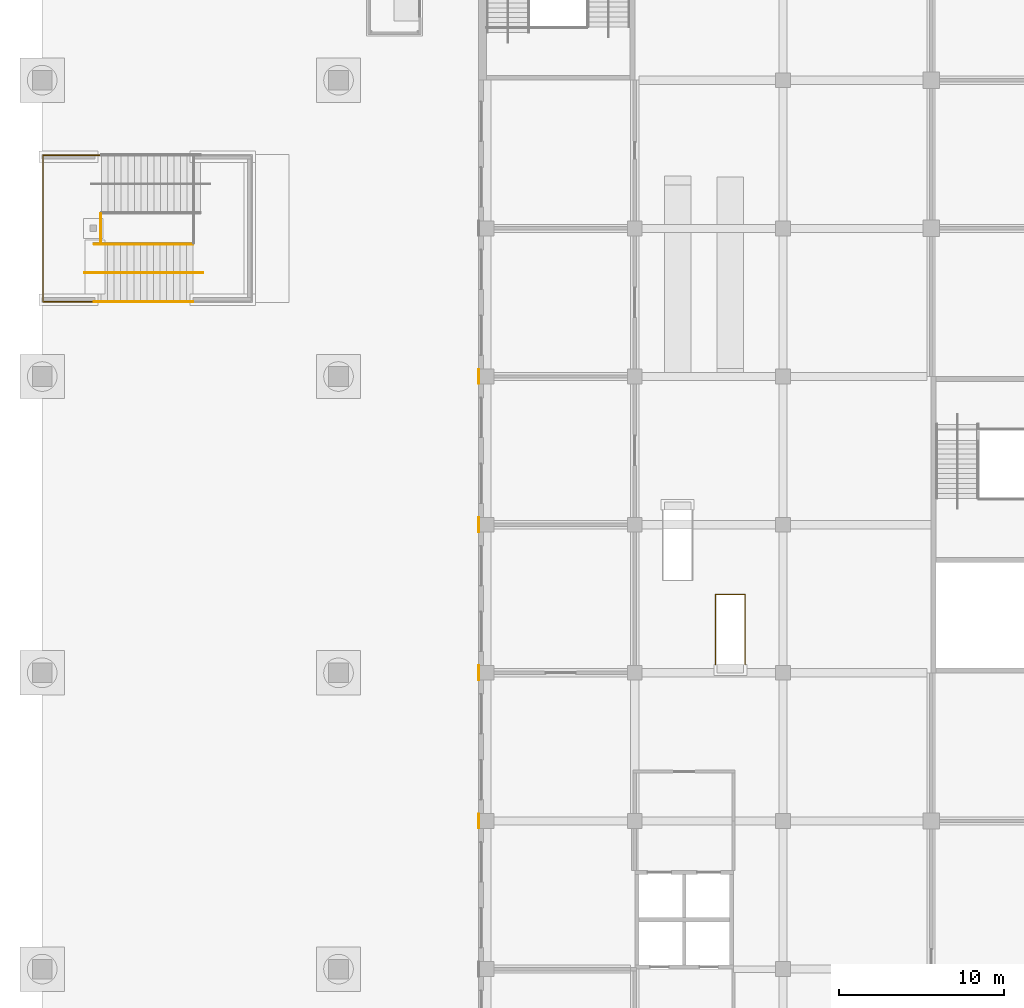
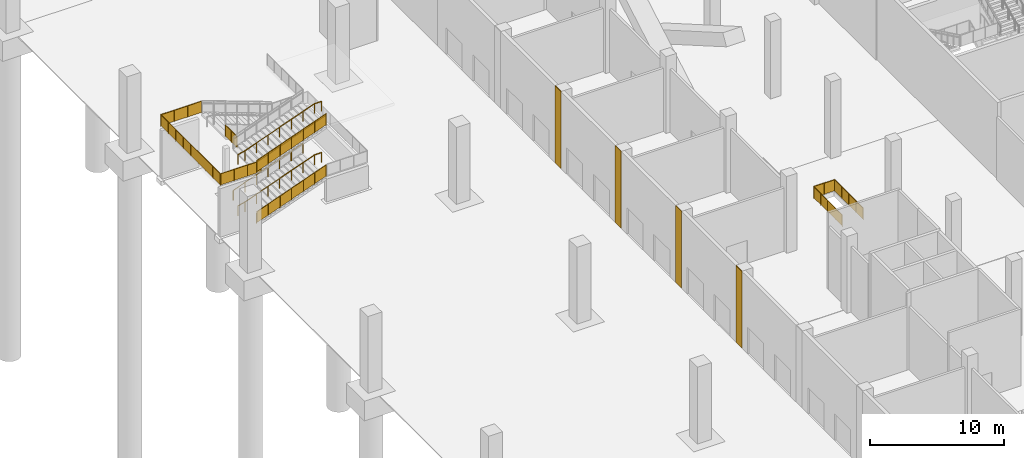
# One storey, part 63 of 92: 10 railings, 4 coverings.
"""IFC4 building model written with IfcOpenShell, lengths in metres."""

from ifc_helpers import new_model, si_unit, direction, frame, origin, origin_2d, place, context, subcontext, project, spatial, polyline, circle, outline, extrude, material, layer, layer_set, type_object, element, save


model = new_model("IFC4")

# Units and contexts
model_context = context("Model", 3, precision=1e-05, world=origin(), true_north=direction((0.0, 1.0)))
body_context = subcontext(model_context, "Body", "Model", "MODEL_VIEW")
ifc_project = project(units=[si_unit("LENGTHUNIT", "METRE"), si_unit("AREAUNIT", "SQUARE_METRE"), si_unit("VOLUMEUNIT", "CUBIC_METRE"), si_unit("PLANEANGLEUNIT", "RADIAN"), si_unit("MASSUNIT", "GRAM", prefix="KILO")], contexts=[model_context])

# Site, building, storey
site_placement = place(None, origin())
site = spatial("IfcSite", under=ifc_project, at=site_placement, CompositionType="ELEMENT")
building_placement = place(site_placement, origin())
building = spatial("IfcBuilding", under=site, at=building_placement, Name="Silverbay Arena", CompositionType="ELEMENT")
storey_placement = place(building_placement, origin())
storey = spatial("IfcBuildingStorey", under=building, at=storey_placement, Name="L00", CompositionType="ELEMENT", Elevation=0.0)

# Coverings
ifc_material_1 = material(Name="Aluminium composite cladding", Category="aluminium")
ifc_layer = layer(ifc_material_1, 0.050048828125)
ifc_layer_set = layer_set([ifc_layer], Name="Aluminium composite cladding")
covering_type = type_object("IfcCoveringType", Name="Column cladding 50", PredefinedType="CLADDING", material=ifc_layer_set)
covering_1_placement = place(storey_placement, origin())
element("IfcCovering", 1, at=covering_1_placement, inside=storey, type_object=covering_type, Name="West column cladding L00 33", PredefinedType="CLADDING", context=body_context, shape_type="SweptSolid", body=[
    extrude(outline(polyline([(26.5, 80.550048828125), (26.550048828125, 80.550048828125), (26.550048828125, 81.449951171875), (26.5, 81.449951171875), (26.5, 80.550048828125)])), origin(), (0.0, 0.0, 1.0), 7.0),
])
covering_2_placement = place(storey_placement, origin())
element("IfcCovering", 2, at=covering_2_placement, inside=storey, type_object=covering_type, Name="West column cladding L00 34", PredefinedType="CLADDING", context=body_context, shape_type="SweptSolid", body=[
    extrude(outline(polyline([(26.5, 89.550048828125), (26.550048828125, 89.550048828125), (26.550048828125, 90.449951171875), (26.5, 90.449951171875), (26.5, 89.550048828125)])), origin(), (0.0, 0.0, 1.0), 7.0),
])
covering_3_placement = place(storey_placement, origin())
element("IfcCovering", 3, at=covering_3_placement, inside=storey, type_object=covering_type, Name="West column cladding L00 35", PredefinedType="CLADDING", context=body_context, shape_type="SweptSolid", body=[
    extrude(outline(polyline([(26.5, 98.550048828125), (26.550048828125, 98.550048828125), (26.550048828125, 99.449951171875), (26.5, 99.449951171875), (26.5, 98.550048828125)])), origin(), (0.0, 0.0, 1.0), 7.0),
])
covering_4_placement = place(storey_placement, origin())
element("IfcCovering", 4, at=covering_4_placement, inside=storey, type_object=covering_type, Name="West column cladding L00 36", PredefinedType="CLADDING", context=body_context, shape_type="SweptSolid", body=[
    extrude(outline(polyline([(26.5, 107.550048828125), (26.550048828125, 107.550048828125), (26.550048828125, 108.449951171875), (26.5, 108.449951171875), (26.5, 107.550048828125)])), origin(), (0.0, 0.0, 1.0), 7.0),
])

# Railings
ifc_material_2 = material(Name="Stainless steel", Category="steel")
railing_type_1 = type_object("IfcRailingType", Name="Opening guard 1100", PredefinedType="GUARDRAIL", material=ifc_material_2)
railing_1_placement = place(storey_placement, frame((40.89990234375, 90.5, 0.0)))
element("IfcRailing", 5, at=railing_1_placement, inside=storey, type_object=railing_type_1, Name="Escalator opening guard LF29", PredefinedType="GUARDRAIL", context=body_context, shape_type="SweptSolid", body=[
    extrude(circle(Radius=0.02392578125, at=origin_2d()), frame((0.0, 0.0, 1.076171875), z_axis=(0.0, 1.0, 0.0), x_axis=(-1.0, 0.0, 0.0)), (0.0, 0.0, 1.0), 4.26318359375),
    extrude(outline(polyline([(-0.008056640625, 0.050048828125), (1.07373046875, 0.050048828125), (1.07373046875, 1.052978515625), (-0.008056640625, 1.052978515625), (-0.008056640625, 0.050048828125)])), frame((-0.0029296875, 0.0, 0.0), z_axis=(1.0, 0.0, 0.0), x_axis=(0.0, 1.0, 0.0)), (0.0, 0.0, 1.0), 0.006103515625),
    extrude(outline(polyline([(-0.008056640625, 0.050048828125), (1.07373046875, 0.050048828125), (1.07373046875, 1.052978515625), (-0.008056640625, 1.052978515625), (-0.008056640625, 0.050048828125)])), frame((-0.0029296875, 1.06591796875, 0.0), z_axis=(1.0, 0.0, 0.0), x_axis=(0.0, 1.0, 0.0)), (0.0, 0.0, 1.0), 0.006103515625),
    extrude(outline(polyline([(-0.008056640625, 0.050048828125), (1.07373046875, 0.050048828125), (1.07373046875, 1.052978515625), (-0.008056640625, 1.052978515625), (-0.008056640625, 0.050048828125)])), frame((-0.0029296875, 2.131591796875, 0.0), z_axis=(1.0, 0.0, 0.0), x_axis=(0.0, 1.0, 0.0)), (0.0, 0.0, 1.0), 0.006103515625),
    extrude(outline(polyline([(-0.008056640625, 0.050048828125), (1.07373046875, 0.050048828125), (1.07373046875, 1.052978515625), (-0.008056640625, 1.052978515625), (-0.008056640625, 0.050048828125)])), frame((-0.0029296875, 3.197265625, 0.0), z_axis=(1.0, 0.0, 0.0), x_axis=(0.0, 1.0, 0.0)), (0.0, 0.0, 1.0), 0.006103515625),
    extrude(circle(Radius=0.02392578125, at=origin_2d()), frame((0.0, 4.26318359375, 1.076171875), z_axis=(1.0, 0.0, 0.0), x_axis=(0.0, 1.0, 0.0)), (0.0, 0.0, 1.0), 1.800048828125),
    extrude(outline(polyline([(-0.008056640625, 0.050048828125), (0.907958984375, 0.050048828125), (0.907958984375, 1.052978515625), (-0.008056640625, 1.052978515625), (-0.008056640625, 0.050048828125)])), frame((0.0, 4.26611328125, 0.0), z_axis=(0.0, -1.0, 0.0), x_axis=(1.0, 0.0, 0.0)), (0.0, 0.0, 1.0), 0.006103515625),
    extrude(outline(polyline([(-0.008056640625, 0.050048828125), (0.907958984375, 0.050048828125), (0.907958984375, 1.052978515625), (-0.008056640625, 1.052978515625), (-0.008056640625, 0.050048828125)])), frame((0.89990234375, 4.26611328125, 0.0), z_axis=(0.0, -1.0, 0.0), x_axis=(1.0, 0.0, 0.0)), (0.0, 0.0, 1.0), 0.006103515625),
    extrude(circle(Radius=0.02392578125, at=origin_2d()), frame((1.800048828125, 4.26318359375, 1.076171875), z_axis=(0.0, -1.0, 0.0), x_axis=(1.0, 0.0, 0.0)), (0.0, 0.0, 1.0), 4.26318359375),
    extrude(outline(polyline([(-0.008056640625, 0.050048828125), (1.07373046875, 0.050048828125), (1.07373046875, 1.052978515625), (-0.008056640625, 1.052978515625), (-0.008056640625, 0.050048828125)])), frame((1.802978515625, 4.26318359375, 0.0), z_axis=(-1.0, 0.0, 0.0), x_axis=(0.0, -1.0, 0.0)), (0.0, 0.0, 1.0), 0.006103515625),
    extrude(outline(polyline([(-0.008056640625, 0.050048828125), (1.07373046875, 0.050048828125), (1.07373046875, 1.052978515625), (-0.008056640625, 1.052978515625), (-0.008056640625, 0.050048828125)])), frame((1.802978515625, 3.197265625, 0.0), z_axis=(-1.0, 0.0, 0.0), x_axis=(0.0, -1.0, 0.0)), (0.0, 0.0, 1.0), 0.006103515625),
    extrude(outline(polyline([(-0.008056640625, 0.050048828125), (1.07373046875, 0.050048828125), (1.07373046875, 1.052978515625), (-0.008056640625, 1.052978515625), (-0.008056640625, 0.050048828125)])), frame((1.802978515625, 2.131591796875, 0.0), z_axis=(-1.0, 0.0, 0.0), x_axis=(0.0, -1.0, 0.0)), (0.0, 0.0, 1.0), 0.006103515625),
    extrude(outline(polyline([(-0.008056640625, 0.050048828125), (1.07373046875, 0.050048828125), (1.07373046875, 1.052978515625), (-0.008056640625, 1.052978515625), (-0.008056640625, 0.050048828125)])), frame((1.802978515625, 1.06591796875, 0.0), z_axis=(-1.0, 0.0, 0.0), x_axis=(0.0, -1.0, 0.0)), (0.0, 0.0, 1.0), 0.006103515625),
    extrude(circle(Radius=0.02099609375, at=origin_2d()), origin(), (0.0, 0.0, 1.0), 1.052001953125),
    extrude(circle(Radius=0.02099609375, at=origin_2d()), frame((0.0, 1.06591796875, 0.0)), (0.0, 0.0, 1.0), 1.052001953125),
    extrude(circle(Radius=0.02099609375, at=origin_2d()), frame((0.0, 2.131591796875, 0.0)), (0.0, 0.0, 1.0), 1.052001953125),
    extrude(circle(Radius=0.02099609375, at=origin_2d()), frame((0.0, 3.197265625, 0.0)), (0.0, 0.0, 1.0), 1.052001953125),
    extrude(circle(Radius=0.02099609375, at=origin_2d()), frame((0.0, 4.26318359375, 0.0)), (0.0, 0.0, 1.0), 1.052001953125),
    extrude(circle(Radius=0.02099609375, at=origin_2d()), frame((0.89990234375, 4.26318359375, 0.0)), (0.0, 0.0, 1.0), 1.052001953125),
    extrude(circle(Radius=0.02099609375, at=origin_2d()), frame((1.800048828125, 4.26318359375, 0.0)), (0.0, 0.0, 1.0), 1.052001953125),
    extrude(circle(Radius=0.02099609375, at=origin_2d()), frame((1.800048828125, 3.197265625, 0.0)), (0.0, 0.0, 1.0), 1.052001953125),
    extrude(circle(Radius=0.02099609375, at=origin_2d()), frame((1.800048828125, 2.131591796875, 0.0)), (0.0, 0.0, 1.0), 1.052001953125),
    extrude(circle(Radius=0.02099609375, at=origin_2d()), frame((1.800048828125, 1.06591796875, 0.0)), (0.0, 0.0, 1.0), 1.052001953125),
    extrude(circle(Radius=0.02099609375, at=origin_2d()), frame((1.800048828125, 0.0, 0.0)), (0.0, 0.0, 1.0), 1.052001953125),
])
ifc_material_3 = material(Name="Stainless steel", Category="steel")
railing_type_2 = type_object("IfcRailingType", Name="Stair guard 1100", PredefinedType="GUARDRAIL", material=ifc_material_3)
railing_2_placement = place(storey_placement, frame((3.162109375, 112.52490234375, 0.145751953125)))
element("IfcRailing", 6, at=railing_2_placement, inside=storey, type_object=railing_type_2, Name="Deck stair DS2 flight 1 guard left", PredefinedType="GUARDRAIL", context=body_context, shape_type="SweptSolid", body=[
    extrude(circle(Radius=0.02392578125, at=origin_2d()), frame((0.0, 0.0, 1.076171875), z_axis=(0.939507356738, 0.0, 0.342528723811), x_axis=(0.0, 1.0, 0.0)), (0.0, 0.0, 1.0), 6.38623046875),
    extrude(outline(polyline([(-0.008056640625, 0.047119140625), (1.008056640625, 0.41748046875), (1.008056640625, 1.42041015625), (-0.008056640625, 1.050048828125), (-0.008056640625, 0.047119140625)])), frame((0.0, 0.0029296875, 0.0), z_axis=(0.0, -1.0, 0.0), x_axis=(1.0, 0.0, 0.0)), (0.0, 0.0, 1.0), 0.006103515625),
    extrude(outline(polyline([(-0.008056640625, 0.41162109375), (1.008056640625, 0.781982421875), (1.008056640625, 1.78515625), (-0.008056640625, 1.41455078125), (-0.008056640625, 0.41162109375)])), frame((1.0, 0.0029296875, 0.0), z_axis=(0.0, -1.0, 0.0), x_axis=(1.0, 0.0, 0.0)), (0.0, 0.0, 1.0), 0.006103515625),
    extrude(outline(polyline([(-0.008056640625, 0.7763671875), (1.008056640625, 1.146728515625), (1.008056640625, 2.149658203125), (-0.008056640625, 1.779296875), (-0.008056640625, 0.7763671875)])), frame((2.0, 0.0029296875, 0.0), z_axis=(0.0, -1.0, 0.0), x_axis=(1.0, 0.0, 0.0)), (0.0, 0.0, 1.0), 0.006103515625),
    extrude(outline(polyline([(-0.008056640625, 1.140869140625), (1.008056640625, 1.51123046875), (1.008056640625, 2.51416015625), (-0.008056640625, 2.143798828125), (-0.008056640625, 1.140869140625)])), frame((3.0, 0.0029296875, 0.0), z_axis=(0.0, -1.0, 0.0), x_axis=(1.0, 0.0, 0.0)), (0.0, 0.0, 1.0), 0.006103515625),
    extrude(outline(polyline([(-0.008056640625, 1.50537109375), (1.008056640625, 1.875732421875), (1.008056640625, 2.87890625), (-0.008056640625, 2.50830078125), (-0.008056640625, 1.50537109375)])), frame((4.0, 0.0029296875, 0.0), z_axis=(0.0, -1.0, 0.0), x_axis=(1.0, 0.0, 0.0)), (0.0, 0.0, 1.0), 0.006103515625),
    extrude(outline(polyline([(-0.008056640625, 1.8701171875), (1.008056640625, 2.240478515625), (1.008056640625, 3.243408203125), (-0.008056640625, 2.873046875), (-0.008056640625, 1.8701171875)])), frame((5.0, 0.0029296875, 0.0), z_axis=(0.0, -1.0, 0.0), x_axis=(1.0, 0.0, 0.0)), (0.0, 0.0, 1.0), 0.006103515625),
    extrude(circle(Radius=0.02099609375, at=origin_2d()), origin(), (0.0, 0.0, 1.0), 1.052001953125),
    extrude(circle(Radius=0.02099609375, at=origin_2d()), frame((1.0, 0.0, 0.364501953125)), (0.0, 0.0, 1.0), 1.052001953125),
    extrude(circle(Radius=0.02099609375, at=origin_2d()), frame((2.0, 0.0, 0.729248046875)), (0.0, 0.0, 1.0), 1.052001953125),
    extrude(circle(Radius=0.02099609375, at=origin_2d()), frame((3.0, 0.0, 1.09375)), (0.0, 0.0, 1.0), 1.052001953125),
    extrude(circle(Radius=0.02099609375, at=origin_2d()), frame((4.0, 0.0, 1.458251953125)), (0.0, 0.0, 1.0), 1.052001953125),
    extrude(circle(Radius=0.02099609375, at=origin_2d()), frame((5.0, 0.0, 1.822998046875)), (0.0, 0.0, 1.0), 1.052001953125),
    extrude(circle(Radius=0.02099609375, at=origin_2d()), frame((6.0, 0.0, 2.1875)), (0.0, 0.0, 1.0), 1.052001953125),
])
railing_3_placement = place(storey_placement, frame((3.162109375, 112.52490234375, 4.8125)))
element("IfcRailing", 7, at=railing_3_placement, inside=storey, type_object=railing_type_2, Name="Deck stair DS2 flight 3 guard left", PredefinedType="GUARDRAIL", context=body_context, shape_type="SweptSolid", body=[
    extrude(circle(Radius=0.02392578125, at=origin_2d()), frame((0.0, 0.0, 1.076171875), z_axis=(0.939507356738, 0.0, 0.342528723811), x_axis=(0.0, 1.0, 0.0)), (0.0, 0.0, 1.0), 6.38623046875),
    extrude(outline(polyline([(-0.008056640625, 0.047119140625), (1.008056640625, 0.41748046875), (1.008056640625, 1.42041015625), (-0.008056640625, 1.050048828125), (-0.008056640625, 0.047119140625)])), frame((0.0, 0.0029296875, 0.0), z_axis=(0.0, -1.0, 0.0), x_axis=(1.0, 0.0, 0.0)), (0.0, 0.0, 1.0), 0.006103515625),
    extrude(outline(polyline([(-0.008056640625, 0.41162109375), (1.008056640625, 0.781982421875), (1.008056640625, 1.78515625), (-0.008056640625, 1.41455078125), (-0.008056640625, 0.41162109375)])), frame((1.0, 0.0029296875, 0.0), z_axis=(0.0, -1.0, 0.0), x_axis=(1.0, 0.0, 0.0)), (0.0, 0.0, 1.0), 0.006103515625),
    extrude(outline(polyline([(-0.008056640625, 0.7763671875), (1.008056640625, 1.146728515625), (1.008056640625, 2.149658203125), (-0.008056640625, 1.779296875), (-0.008056640625, 0.7763671875)])), frame((2.0, 0.0029296875, 0.0), z_axis=(0.0, -1.0, 0.0), x_axis=(1.0, 0.0, 0.0)), (0.0, 0.0, 1.0), 0.006103515625),
    extrude(outline(polyline([(-0.008056640625, 1.140869140625), (1.008056640625, 1.51123046875), (1.008056640625, 2.51416015625), (-0.008056640625, 2.143798828125), (-0.008056640625, 1.140869140625)])), frame((3.0, 0.0029296875, 0.0), z_axis=(0.0, -1.0, 0.0), x_axis=(1.0, 0.0, 0.0)), (0.0, 0.0, 1.0), 0.006103515625),
    extrude(outline(polyline([(-0.008056640625, 1.50537109375), (1.008056640625, 1.875732421875), (1.008056640625, 2.87890625), (-0.008056640625, 2.50830078125), (-0.008056640625, 1.50537109375)])), frame((4.0, 0.0029296875, 0.0), z_axis=(0.0, -1.0, 0.0), x_axis=(1.0, 0.0, 0.0)), (0.0, 0.0, 1.0), 0.006103515625),
    extrude(outline(polyline([(-0.008056640625, 1.8701171875), (1.008056640625, 2.240478515625), (1.008056640625, 3.243408203125), (-0.008056640625, 2.873046875), (-0.008056640625, 1.8701171875)])), frame((5.0, 0.0029296875, 0.0), z_axis=(0.0, -1.0, 0.0), x_axis=(1.0, 0.0, 0.0)), (0.0, 0.0, 1.0), 0.006103515625),
    extrude(circle(Radius=0.02099609375, at=origin_2d()), origin(), (0.0, 0.0, 1.0), 1.052001953125),
    extrude(circle(Radius=0.02099609375, at=origin_2d()), frame((1.0, 0.0, 0.364501953125)), (0.0, 0.0, 1.0), 1.052001953125),
    extrude(circle(Radius=0.02099609375, at=origin_2d()), frame((2.0, 0.0, 0.729248046875)), (0.0, 0.0, 1.0), 1.052001953125),
    extrude(circle(Radius=0.02099609375, at=origin_2d()), frame((3.0, 0.0, 1.09375)), (0.0, 0.0, 1.0), 1.052001953125),
    extrude(circle(Radius=0.02099609375, at=origin_2d()), frame((4.0, 0.0, 1.458251953125)), (0.0, 0.0, 1.0), 1.052001953125),
    extrude(circle(Radius=0.02099609375, at=origin_2d()), frame((5.0, 0.0, 1.822998046875)), (0.0, 0.0, 1.0), 1.052001953125),
    extrude(circle(Radius=0.02099609375, at=origin_2d()), frame((6.0, 0.0, 2.1875)), (0.0, 0.0, 1.0), 1.052001953125),
])
railing_4_placement = place(storey_placement, frame((3.550048828125, 112.550048828125, 4.666748046875)))
element("IfcRailing", 8, at=railing_4_placement, inside=storey, type_object=railing_type_2, Name="Deck stair DS2 landing 2 guard", PredefinedType="GUARDRAIL", context=body_context, shape_type="SweptSolid", body=[
    extrude(circle(Radius=0.02392578125, at=origin_2d()), frame((0.0, 0.0, 1.076171875), z_axis=(-1.0, 0.0, 0.0), x_axis=(0.0, -1.0, 0.0)), (0.0, 0.0, 1.0), 3.5),
    extrude(outline(polyline([(-0.008056640625, 0.050048828125), (1.174560546875, 0.050048828125), (1.174560546875, 1.052978515625), (-0.008056640625, 1.052978515625), (-0.008056640625, 0.050048828125)])), frame((0.0, -0.0029296875, 0.0), z_axis=(0.0, 1.0, 0.0), x_axis=(-1.0, 0.0, 0.0)), (0.0, 0.0, 1.0), 0.006103515625),
    extrude(outline(polyline([(-0.008056640625, 0.050048828125), (1.174560546875, 0.050048828125), (1.174560546875, 1.052978515625), (-0.008056640625, 1.052978515625), (-0.008056640625, 0.050048828125)])), frame((-1.166748046875, -0.0029296875, 0.0), z_axis=(0.0, 1.0, 0.0), x_axis=(-1.0, 0.0, 0.0)), (0.0, 0.0, 1.0), 0.006103515625),
    extrude(outline(polyline([(-0.008056640625, 0.050048828125), (1.174560546875, 0.050048828125), (1.174560546875, 1.052978515625), (-0.008056640625, 1.052978515625), (-0.008056640625, 0.050048828125)])), frame((-2.333251953125, -0.0029296875, 0.0), z_axis=(0.0, 1.0, 0.0), x_axis=(-1.0, 0.0, 0.0)), (0.0, 0.0, 1.0), 0.006103515625),
    extrude(circle(Radius=0.02392578125, at=origin_2d()), frame((-3.5, 0.0, 1.076171875), z_axis=(0.0, 1.0, 0.0), x_axis=(-1.0, 0.0, 0.0)), (0.0, 0.0, 1.0), 8.89990234375),
    extrude(outline(polyline([(-0.008056640625, 0.050048828125), (1.12060546875, 0.050048828125), (1.12060546875, 1.052978515625), (-0.008056640625, 1.052978515625), (-0.008056640625, 0.050048828125)])), frame((-3.5029296875, 0.0, 0.0), z_axis=(1.0, 0.0, 0.0), x_axis=(0.0, 1.0, 0.0)), (0.0, 0.0, 1.0), 0.006103515625),
    extrude(outline(polyline([(-0.008056640625, 0.050048828125), (1.12060546875, 0.050048828125), (1.12060546875, 1.052978515625), (-0.008056640625, 1.052978515625), (-0.008056640625, 0.050048828125)])), frame((-3.5029296875, 1.112548828125, 0.0), z_axis=(1.0, 0.0, 0.0), x_axis=(0.0, 1.0, 0.0)), (0.0, 0.0, 1.0), 0.006103515625),
    extrude(outline(polyline([(-0.008056640625, 0.050048828125), (1.12060546875, 0.050048828125), (1.12060546875, 1.052978515625), (-0.008056640625, 1.052978515625), (-0.008056640625, 0.050048828125)])), frame((-3.5029296875, 2.22509765625, 0.0), z_axis=(1.0, 0.0, 0.0), x_axis=(0.0, 1.0, 0.0)), (0.0, 0.0, 1.0), 0.006103515625),
    extrude(outline(polyline([(-0.008056640625, 0.050048828125), (1.12060546875, 0.050048828125), (1.12060546875, 1.052978515625), (-0.008056640625, 1.052978515625), (-0.008056640625, 0.050048828125)])), frame((-3.5029296875, 3.33740234375, 0.0), z_axis=(1.0, 0.0, 0.0), x_axis=(0.0, 1.0, 0.0)), (0.0, 0.0, 1.0), 0.006103515625),
    extrude(outline(polyline([(-0.008056640625, 0.050048828125), (1.12060546875, 0.050048828125), (1.12060546875, 1.052978515625), (-0.008056640625, 1.052978515625), (-0.008056640625, 0.050048828125)])), frame((-3.5029296875, 4.449951171875, 0.0), z_axis=(1.0, 0.0, 0.0), x_axis=(0.0, 1.0, 0.0)), (0.0, 0.0, 1.0), 0.006103515625),
    extrude(outline(polyline([(-0.008056640625, 0.050048828125), (1.12060546875, 0.050048828125), (1.12060546875, 1.052978515625), (-0.008056640625, 1.052978515625), (-0.008056640625, 0.050048828125)])), frame((-3.5029296875, 5.5625, 0.0), z_axis=(1.0, 0.0, 0.0), x_axis=(0.0, 1.0, 0.0)), (0.0, 0.0, 1.0), 0.006103515625),
    extrude(outline(polyline([(-0.008056640625, 0.050048828125), (1.12060546875, 0.050048828125), (1.12060546875, 1.052978515625), (-0.008056640625, 1.052978515625), (-0.008056640625, 0.050048828125)])), frame((-3.5029296875, 6.6748046875, 0.0), z_axis=(1.0, 0.0, 0.0), x_axis=(0.0, 1.0, 0.0)), (0.0, 0.0, 1.0), 0.006103515625),
    extrude(outline(polyline([(-0.008056640625, 0.050048828125), (1.12060546875, 0.050048828125), (1.12060546875, 1.052978515625), (-0.008056640625, 1.052978515625), (-0.008056640625, 0.050048828125)])), frame((-3.5029296875, 7.787353515625, 0.0), z_axis=(1.0, 0.0, 0.0), x_axis=(0.0, 1.0, 0.0)), (0.0, 0.0, 1.0), 0.006103515625),
    extrude(circle(Radius=0.02392578125, at=origin_2d()), frame((-3.5, 8.89990234375, 1.076171875), z_axis=(1.0, 0.0, 0.0), x_axis=(0.0, 1.0, 0.0)), (0.0, 0.0, 1.0), 3.5),
    extrude(outline(polyline([(-0.008056640625, 0.050048828125), (1.174560546875, 0.050048828125), (1.174560546875, 1.052978515625), (-0.008056640625, 1.052978515625), (-0.008056640625, 0.050048828125)])), frame((-3.5, 8.90283203125, 0.0), z_axis=(0.0, -1.0, 0.0), x_axis=(1.0, 0.0, 0.0)), (0.0, 0.0, 1.0), 0.006103515625),
    extrude(outline(polyline([(-0.008056640625, 0.050048828125), (1.174560546875, 0.050048828125), (1.174560546875, 1.052978515625), (-0.008056640625, 1.052978515625), (-0.008056640625, 0.050048828125)])), frame((-2.333251953125, 8.90283203125, 0.0), z_axis=(0.0, -1.0, 0.0), x_axis=(1.0, 0.0, 0.0)), (0.0, 0.0, 1.0), 0.006103515625),
    extrude(outline(polyline([(-0.008056640625, 0.050048828125), (1.174560546875, 0.050048828125), (1.174560546875, 1.052978515625), (-0.008056640625, 1.052978515625), (-0.008056640625, 0.050048828125)])), frame((-1.166748046875, 8.90283203125, 0.0), z_axis=(0.0, -1.0, 0.0), x_axis=(1.0, 0.0, 0.0)), (0.0, 0.0, 1.0), 0.006103515625),
    extrude(circle(Radius=0.02099609375, at=origin_2d()), origin(), (0.0, 0.0, 1.0), 1.052001953125),
    extrude(circle(Radius=0.02099609375, at=origin_2d()), frame((-1.166748046875, 0.0, 0.0)), (0.0, 0.0, 1.0), 1.052001953125),
    extrude(circle(Radius=0.02099609375, at=origin_2d()), frame((-2.333251953125, 0.0, 0.0)), (0.0, 0.0, 1.0), 1.052001953125),
    extrude(circle(Radius=0.02099609375, at=origin_2d()), frame((-3.5, 0.0, 0.0)), (0.0, 0.0, 1.0), 1.052001953125),
    extrude(circle(Radius=0.02099609375, at=origin_2d()), frame((-3.5, 1.112548828125, 0.0)), (0.0, 0.0, 1.0), 1.052001953125),
    extrude(circle(Radius=0.02099609375, at=origin_2d()), frame((-3.5, 2.22509765625, 0.0)), (0.0, 0.0, 1.0), 1.052001953125),
    extrude(circle(Radius=0.02099609375, at=origin_2d()), frame((-3.5, 3.33740234375, 0.0)), (0.0, 0.0, 1.0), 1.052001953125),
    extrude(circle(Radius=0.02099609375, at=origin_2d()), frame((-3.5, 4.449951171875, 0.0)), (0.0, 0.0, 1.0), 1.052001953125),
    extrude(circle(Radius=0.02099609375, at=origin_2d()), frame((-3.5, 5.5625, 0.0)), (0.0, 0.0, 1.0), 1.052001953125),
    extrude(circle(Radius=0.02099609375, at=origin_2d()), frame((-3.5, 6.6748046875, 0.0)), (0.0, 0.0, 1.0), 1.052001953125),
    extrude(circle(Radius=0.02099609375, at=origin_2d()), frame((-3.5, 7.787353515625, 0.0)), (0.0, 0.0, 1.0), 1.052001953125),
    extrude(circle(Radius=0.02099609375, at=origin_2d()), frame((-3.5, 8.89990234375, 0.0)), (0.0, 0.0, 1.0), 1.052001953125),
    extrude(circle(Radius=0.02099609375, at=origin_2d()), frame((-2.333251953125, 8.89990234375, 0.0)), (0.0, 0.0, 1.0), 1.052001953125),
    extrude(circle(Radius=0.02099609375, at=origin_2d()), frame((-1.166748046875, 8.89990234375, 0.0)), (0.0, 0.0, 1.0), 1.052001953125),
    extrude(circle(Radius=0.02099609375, at=origin_2d()), frame((0.0, 8.89990234375, 0.0)), (0.0, 0.0, 1.0), 1.052001953125),
])
railing_5_placement = place(storey_placement, frame((3.550048828125, 116.10009765625, 4.666748046875)))
element("IfcRailing", 9, at=railing_5_placement, inside=storey, type_object=railing_type_2, Name="Deck stair DS2 landing 2 guard", PredefinedType="GUARDRAIL", context=body_context, shape_type="SweptSolid", body=[
    extrude(circle(Radius=0.02392578125, at=origin_2d()), frame((0.0, 0.0, 1.076171875), z_axis=(0.0, 1.0, 0.0), x_axis=(-1.0, 0.0, 0.0)), (0.0, 0.0, 1.0), 1.7998046875),
    extrude(outline(polyline([(-0.008056640625, 0.050048828125), (0.907958984375, 0.050048828125), (0.907958984375, 1.052978515625), (-0.008056640625, 1.052978515625), (-0.008056640625, 0.050048828125)])), frame((-0.0029296875, 0.0, 0.0), z_axis=(1.0, 0.0, 0.0), x_axis=(0.0, 1.0, 0.0)), (0.0, 0.0, 1.0), 0.006103515625),
    extrude(outline(polyline([(-0.008056640625, 0.050048828125), (0.907958984375, 0.050048828125), (0.907958984375, 1.052978515625), (-0.008056640625, 1.052978515625), (-0.008056640625, 0.050048828125)])), frame((-0.0029296875, 0.89990234375, 0.0), z_axis=(1.0, 0.0, 0.0), x_axis=(0.0, 1.0, 0.0)), (0.0, 0.0, 1.0), 0.006103515625),
    extrude(circle(Radius=0.02099609375, at=origin_2d()), origin(), (0.0, 0.0, 1.0), 1.052001953125),
    extrude(circle(Radius=0.02099609375, at=origin_2d()), frame((0.0, 0.89990234375, 0.0)), (0.0, 0.0, 1.0), 1.052001953125),
    extrude(circle(Radius=0.02099609375, at=origin_2d()), frame((0.0, 1.7998046875, 0.0)), (0.0, 0.0, 1.0), 1.052001953125),
])
ifc_material_4 = material(Name="Stainless steel", Category="steel")
railing_type_3 = type_object("IfcRailingType", Name="Stair handrail 900", PredefinedType="HANDRAIL", material=ifc_material_4)
for number, where, name in (
    (10, (3.162109375, 112.56396484375, 0.145751953125), "Deck stair DS2 flight 1 handrail left"),
    (11, (3.162109375, 116.035888671875, 0.145751953125), "Deck stair DS2 flight 1 handrail right"),
):
    element("IfcRailing", number, at=place(storey_placement, frame(where)), inside=storey, type_object=railing_type_3, Name=name, PredefinedType="HANDRAIL", context=body_context, shape_type="SweptSolid", body=[
        extrude(circle(Radius=0.02392578125, at=origin_2d()), frame((0.0, 0.0, 0.8759765625), z_axis=(0.939507356738, 0.0, 0.342528723811), x_axis=(0.0, 1.0, 0.0)), (0.0, 0.0, 1.0), 6.38623046875),
        extrude(circle(Radius=0.02099609375, at=origin_2d()), origin(), (0.0, 0.0, 1.0), 0.851806640625),
        extrude(circle(Radius=0.02099609375, at=origin_2d()), frame((1.0, 0.0, 0.364501953125)), (0.0, 0.0, 1.0), 0.851806640625),
        extrude(circle(Radius=0.02099609375, at=origin_2d()), frame((2.0, 0.0, 0.729248046875)), (0.0, 0.0, 1.0), 0.851806640625),
        extrude(circle(Radius=0.02099609375, at=origin_2d()), frame((3.0, 0.0, 1.09375)), (0.0, 0.0, 1.0), 0.851806640625),
        extrude(circle(Radius=0.02099609375, at=origin_2d()), frame((4.0, 0.0, 1.458251953125)), (0.0, 0.0, 1.0), 0.851806640625),
        extrude(circle(Radius=0.02099609375, at=origin_2d()), frame((5.0, 0.0, 1.822998046875)), (0.0, 0.0, 1.0), 0.851806640625),
        extrude(circle(Radius=0.02099609375, at=origin_2d()), frame((6.0, 0.0, 2.1875)), (0.0, 0.0, 1.0), 0.851806640625),
    ])
railing_6_placement = place(storey_placement, frame((2.56201171875, 114.300048828125, 0.0)))
element("IfcRailing", 12, at=railing_6_placement, inside=storey, type_object=railing_type_3, Name="Deck stair DS2 flight 1 central handrail", PredefinedType="HANDRAIL", context=body_context, shape_type="SweptSolid", body=[
    extrude(circle(Radius=0.02392578125, at=origin_2d()), frame((0.0, 0.0, 0.8759765625), z_axis=(0.971748522905, 0.0, 0.236018660771), x_axis=(0.0, 1.0, 0.0)), (0.0, 0.0, 1.0), 0.617431640625),
    extrude(circle(Radius=0.02392578125, at=origin_2d()), frame((0.60009765625, 0.0, 1.021484375), z_axis=(0.939507356738, 0.0, 0.342528723811), x_axis=(0.0, 1.0, 0.0)), (0.0, 0.0, 1.0), 6.38623046875),
    extrude(circle(Radius=0.02392578125, at=origin_2d()), frame((6.60009765625, 0.0, 3.208984375), z_axis=(1.0, 0.0, 0.0), x_axis=(0.0, 1.0, 0.0)), (0.0, 0.0, 1.0), 0.599853515625),
    extrude(circle(Radius=0.02099609375, at=origin_2d()), origin(), (0.0, 0.0, 1.0), 0.851806640625),
    extrude(circle(Radius=0.02099609375, at=origin_2d()), frame((0.60009765625, 0.0, 0.145751953125)), (0.0, 0.0, 1.0), 0.851806640625),
    extrude(circle(Radius=0.02099609375, at=origin_2d()), frame((1.60009765625, 0.0, 0.51025390625)), (0.0, 0.0, 1.0), 0.851806640625),
    extrude(circle(Radius=0.02099609375, at=origin_2d()), frame((2.60009765625, 0.0, 0.875)), (0.0, 0.0, 1.0), 0.851806640625),
    extrude(circle(Radius=0.02099609375, at=origin_2d()), frame((3.60009765625, 0.0, 1.239501953125)), (0.0, 0.0, 1.0), 0.851806640625),
    extrude(circle(Radius=0.02099609375, at=origin_2d()), frame((4.60009765625, 0.0, 1.60400390625)), (0.0, 0.0, 1.0), 0.851806640625),
    extrude(circle(Radius=0.02099609375, at=origin_2d()), frame((5.60009765625, 0.0, 1.96875)), (0.0, 0.0, 1.0), 0.851806640625),
    extrude(circle(Radius=0.02099609375, at=origin_2d()), frame((6.60009765625, 0.0, 2.333251953125)), (0.0, 0.0, 1.0), 0.851806640625),
    extrude(circle(Radius=0.02099609375, at=origin_2d()), frame((7.199951171875, 0.0, 2.333251953125)), (0.0, 0.0, 1.0), 0.851806640625),
])
railing_7_placement = place(storey_placement, frame((3.162109375, 112.56396484375, 4.8125)))
element("IfcRailing", 13, at=railing_7_placement, inside=storey, type_object=railing_type_3, Name="Deck stair DS2 flight 3 handrail left", PredefinedType="HANDRAIL", context=body_context, shape_type="SweptSolid", body=[
    extrude(circle(Radius=0.02392578125, at=origin_2d()), frame((0.0, 0.0, 0.8759765625), z_axis=(0.939507356738, 0.0, 0.342528723811), x_axis=(0.0, 1.0, 0.0)), (0.0, 0.0, 1.0), 6.38623046875),
    extrude(circle(Radius=0.02099609375, at=origin_2d()), origin(), (0.0, 0.0, 1.0), 0.851806640625),
    extrude(circle(Radius=0.02099609375, at=origin_2d()), frame((1.0, 0.0, 0.364501953125)), (0.0, 0.0, 1.0), 0.851806640625),
    extrude(circle(Radius=0.02099609375, at=origin_2d()), frame((2.0, 0.0, 0.729248046875)), (0.0, 0.0, 1.0), 0.851806640625),
    extrude(circle(Radius=0.02099609375, at=origin_2d()), frame((3.0, 0.0, 1.09375)), (0.0, 0.0, 1.0), 0.851806640625),
    extrude(circle(Radius=0.02099609375, at=origin_2d()), frame((4.0, 0.0, 1.458251953125)), (0.0, 0.0, 1.0), 0.851806640625),
    extrude(circle(Radius=0.02099609375, at=origin_2d()), frame((5.0, 0.0, 1.822998046875)), (0.0, 0.0, 1.0), 0.851806640625),
    extrude(circle(Radius=0.02099609375, at=origin_2d()), frame((6.0, 0.0, 2.1875)), (0.0, 0.0, 1.0), 0.851806640625),
])
railing_8_placement = place(storey_placement, frame((2.56201171875, 114.300048828125, 4.666748046875)))
element("IfcRailing", 14, at=railing_8_placement, inside=storey, type_object=railing_type_3, Name="Deck stair DS2 flight 3 central handrail", PredefinedType="HANDRAIL", context=body_context, shape_type="SweptSolid", body=[
    extrude(circle(Radius=0.02392578125, at=origin_2d()), frame((0.0, 0.0, 0.8759765625), z_axis=(0.971748522905, 0.0, 0.236018660771), x_axis=(0.0, 1.0, 0.0)), (0.0, 0.0, 1.0), 0.617431640625),
    extrude(circle(Radius=0.02392578125, at=origin_2d()), frame((0.60009765625, 0.0, 1.021484375), z_axis=(0.939507356738, 0.0, 0.342528723811), x_axis=(0.0, 1.0, 0.0)), (0.0, 0.0, 1.0), 6.38623046875),
    extrude(circle(Radius=0.02392578125, at=origin_2d()), frame((6.60009765625, 0.0, 3.208984375), z_axis=(1.0, 0.0, 0.0), x_axis=(0.0, 1.0, 0.0)), (0.0, 0.0, 1.0), 0.599853515625),
    extrude(circle(Radius=0.02099609375, at=origin_2d()), origin(), (0.0, 0.0, 1.0), 0.851806640625),
    extrude(circle(Radius=0.02099609375, at=origin_2d()), frame((0.60009765625, 0.0, 0.145751953125)), (0.0, 0.0, 1.0), 0.851806640625),
    extrude(circle(Radius=0.02099609375, at=origin_2d()), frame((1.60009765625, 0.0, 0.51025390625)), (0.0, 0.0, 1.0), 0.851806640625),
    extrude(circle(Radius=0.02099609375, at=origin_2d()), frame((2.60009765625, 0.0, 0.875)), (0.0, 0.0, 1.0), 0.851806640625),
    extrude(circle(Radius=0.02099609375, at=origin_2d()), frame((3.60009765625, 0.0, 1.239501953125)), (0.0, 0.0, 1.0), 0.851806640625),
    extrude(circle(Radius=0.02099609375, at=origin_2d()), frame((4.60009765625, 0.0, 1.60400390625)), (0.0, 0.0, 1.0), 0.851806640625),
    extrude(circle(Radius=0.02099609375, at=origin_2d()), frame((5.60009765625, 0.0, 1.96875)), (0.0, 0.0, 1.0), 0.851806640625),
    extrude(circle(Radius=0.02099609375, at=origin_2d()), frame((6.60009765625, 0.0, 2.333251953125)), (0.0, 0.0, 1.0), 0.851806640625),
    extrude(circle(Radius=0.02099609375, at=origin_2d()), frame((7.199951171875, 0.0, 2.333251953125)), (0.0, 0.0, 1.0), 0.851806640625),
])

save(model, "model.ifc")
